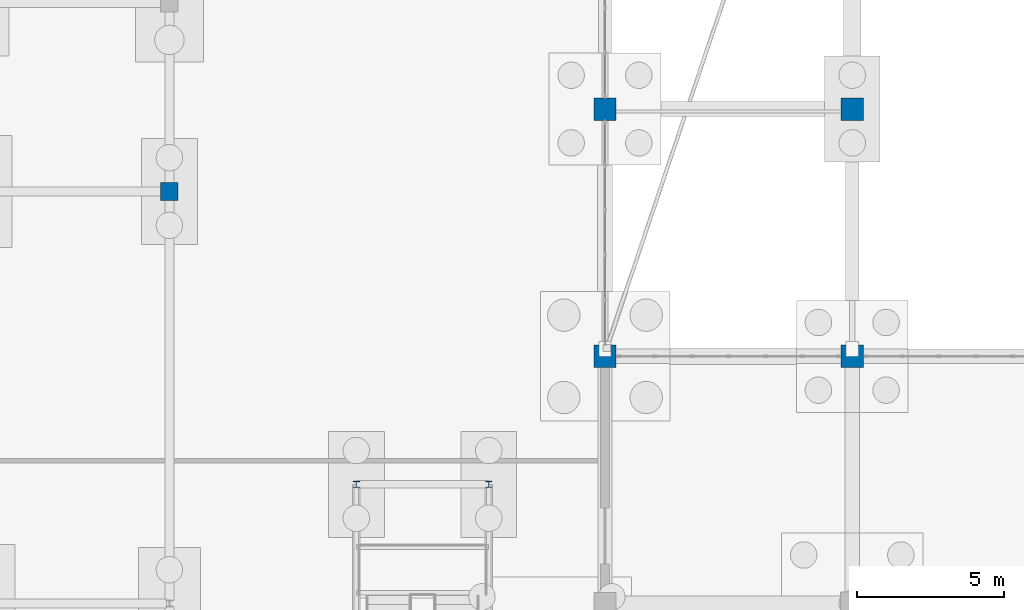
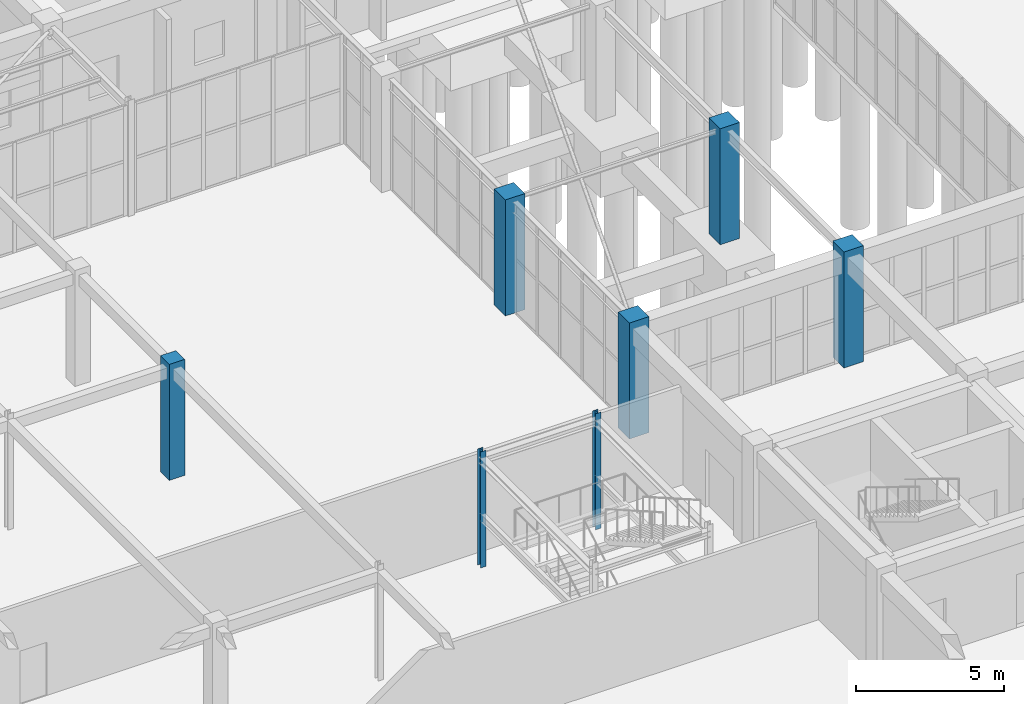
# One storey, part 34 of 192: 7 columns.
"""IFC4 building model written with IfcOpenShell, lengths in metres."""

from ifc_helpers import new_model, si_unit, direction, frame, origin, origin_2d, place, context, subcontext, project, spatial, rectangle, i_section, extrude, material, material_profile, profile_set, type_object, element, save


model = new_model("IFC4")

# Units and contexts
model_context = context("Model", 3, precision=1e-05, world=origin(), true_north=direction((0.0, 1.0)))
body_context = subcontext(model_context, "Body", "Model", "MODEL_VIEW")
ifc_project = project(units=[si_unit("LENGTHUNIT", "METRE"), si_unit("AREAUNIT", "SQUARE_METRE"), si_unit("VOLUMEUNIT", "CUBIC_METRE"), si_unit("PLANEANGLEUNIT", "RADIAN"), si_unit("MASSUNIT", "GRAM", prefix="KILO")], contexts=[model_context])

# Site, building, storey
site_placement = place(None, origin())
site = spatial("IfcSite", under=ifc_project, at=site_placement, CompositionType="ELEMENT")
building_placement = place(site_placement, origin())
building = spatial("IfcBuilding", under=site, at=building_placement, Name="Trelvath General Hospital", CompositionType="ELEMENT")
storey_placement = place(building_placement, origin())
storey = spatial("IfcBuildingStorey", under=building, at=storey_placement, Name="L00", CompositionType="ELEMENT", Elevation=0.0)

# Columns
ifc_material_1 = material(Name="Concrete C40/50", Category="concrete")
ifc_material_profile_1 = material_profile(ifc_material_1, rectangle(XDim=0.60009765625, YDim=0.60009765625, at=origin_2d()), Name="RC600x600")
ifc_profile_set_1 = profile_set([ifc_material_profile_1], Name="Concrete C40/50")
column_type_1 = type_object("IfcColumnType", Name="Column RC600", PredefinedType="COLUMN", material=ifc_profile_set_1)
column_placement = place(storey_placement, frame((60.800048828125, 72.800048828125, 0.0), z_axis=(0.0, 0.0, 1.0), x_axis=(1.0, 0.0, 0.0)))
element("IfcColumn", 1, at=column_placement, inside=storey, type_object=column_type_1, Name="Cube Interior Column CC-W40 L00", PredefinedType="COLUMN", context=body_context, shape_type="SweptSolid", body=[
    extrude(rectangle(XDim=0.60009765625, YDim=0.60009765625, at=origin_2d()), origin(), (0.0, 0.0, 1.0), 4.800048828125),
])
ifc_material_2 = material(Name="Concrete C40/50", Category="concrete")
ifc_material_profile_2 = material_profile(ifc_material_2, rectangle(XDim=0.760009765625, YDim=0.760009765625, at=origin_2d()), Name="RC760x760")
ifc_profile_set_2 = profile_set([ifc_material_profile_2], Name="Concrete C40/50")
column_type_2 = type_object("IfcColumnType", Name="Column RC760", PredefinedType="COLUMN", material=ifc_profile_set_2)
for number, where, z_axis, x_axis, name in (
    (2, (75.60009765625, 67.199951171875, 0.0), (0.0, 0.0, 1.0), (1.0, 0.0, 0.0), "Column C-10I L00"),
    (3, (75.60009765625, 75.60009765625, 0.0), (0.0, 0.0, 1.0), (1.0, 0.0, 0.0), "Column C-10J L00"),
    (4, (84.0, 67.199951171875, 0.0), (0.0, 0.0, 1.0), (1.0, 0.0, 0.0), "Column C-11I L00"),
    (5, (84.0, 75.60009765625, 0.0), (0.0, 0.0, 1.0), (1.0, 0.0, 0.0), "Column C-11J L00"),
):
    element("IfcColumn", number, at=place(storey_placement, frame(where, z_axis=z_axis, x_axis=x_axis)), inside=storey, type_object=column_type_2, Name=name, PredefinedType="COLUMN", context=body_context, shape_type="SweptSolid", body=[
        extrude(rectangle(XDim=0.760009765625, YDim=0.760009765625, at=origin_2d()), origin(), (0.0, 0.0, 1.0), 4.800048828125),
    ])
ifc_material_3 = material(Name="Steel S355", Category="steel")
ifc_material_profile_3 = material_profile(ifc_material_3, i_section(OverallWidth=0.219970703125, OverallDepth=0.2099609375, WebThickness=0.007080078125, FlangeThickness=0.010986328125, at=origin_2d()), Name="HEA220")
ifc_profile_set_3 = profile_set([ifc_material_profile_3], Name="Steel S355")
column_type_3 = type_object("IfcColumnType", Name="StairPost HEA220", PredefinedType="COLUMN", material=ifc_profile_set_3)
for number, where, z_axis, x_axis, name in (
    (6, (67.14990234375, 62.85009765625, 0.0), (0.0, 0.0, 1.0), (1.0, 0.0, 0.0), "Atrium Stair Post CUBE-W 3 L00"),
    (7, (71.64990234375, 62.85009765625, 0.0), (0.0, 0.0, 1.0), (1.0, 0.0, 0.0), "Atrium Stair Post CUBE-W 4 L00"),
):
    element("IfcColumn", number, at=place(storey_placement, frame(where, z_axis=z_axis, x_axis=x_axis)), inside=storey, type_object=column_type_3, Name=name, PredefinedType="COLUMN", context=body_context, shape_type="SweptSolid", body=[
        extrude(i_section(OverallWidth=0.219970703125, OverallDepth=0.2099609375, WebThickness=0.007080078125, FlangeThickness=0.010986328125, at=origin_2d()), origin(), (0.0, 0.0, 1.0), 4.800048828125),
    ])

save(model, "model.ifc")
